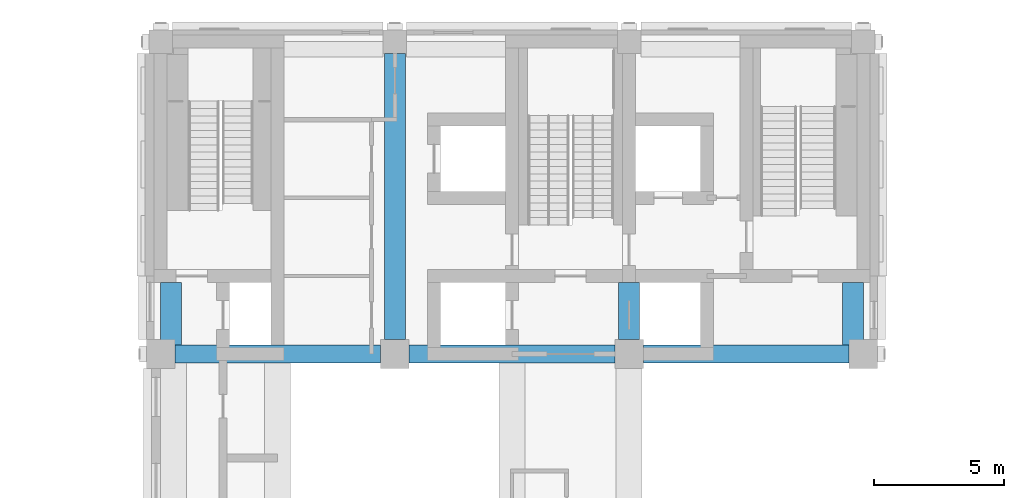
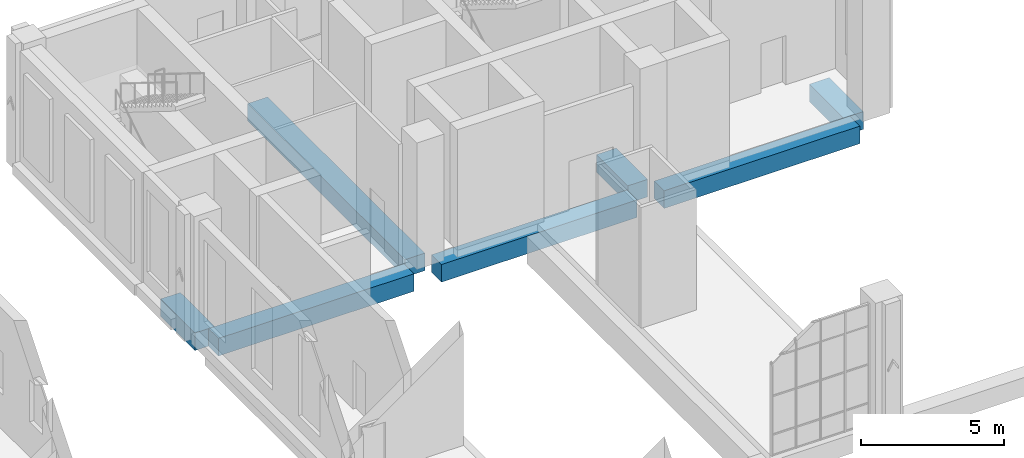
# One storey, part 11 of 53: 7 beams.
"""IFC4 building model written with IfcOpenShell, lengths in metres."""

from ifc_helpers import new_model, si_unit, direction, frame, origin, origin_2d, place, context, subcontext, project, spatial, rectangle, extrude, material, material_profile, profile_set, type_object, element, save


model = new_model("IFC4")

# Units and contexts
model_context = context("Model", 3, precision=1e-05, world=origin(), true_north=direction((0.0, 1.0)))
body_context = subcontext(model_context, "Body", "Model", "MODEL_VIEW")
ifc_project = project(units=[si_unit("LENGTHUNIT", "METRE"), si_unit("AREAUNIT", "SQUARE_METRE"), si_unit("VOLUMEUNIT", "CUBIC_METRE"), si_unit("PLANEANGLEUNIT", "RADIAN"), si_unit("MASSUNIT", "GRAM", prefix="KILO")], contexts=[model_context])

# Site, building, storey
site_placement = place(None, origin())
site = spatial("IfcSite", under=ifc_project, at=site_placement, CompositionType="ELEMENT")
building_placement = place(site_placement, origin())
building = spatial("IfcBuilding", under=site, at=building_placement, Name="Aurelan Courthouse", CompositionType="ELEMENT")
storey_placement = place(building_placement, frame((0.0, 0.0, 12.0)))
storey = spatial("IfcBuildingStorey", under=building, at=storey_placement, Name="L02", CompositionType="ELEMENT", Elevation=12.0)

# Beams
ifc_material = material(Name="Concrete C50", Category="concrete")
ifc_material_profile_1 = material_profile(ifc_material, rectangle(XDim=0.699951171875, YDim=0.75, at=origin_2d()), Name="RC 700 x 750")
ifc_profile_set_1 = profile_set([ifc_material_profile_1], Name="Concrete C50")
beam_type_1 = type_object("IfcBeamType", Name="PT beam 700 x 750", PredefinedType="BEAM", material=ifc_profile_set_1)
for number, where, z_axis, x_axis, name in (
    (1, (36.550048828125, 54.0, -0.675048828125), (1.0, 0.0, 0.0), (0.0, 1.0, 0.0), "Beam EB-E-5-6"),
    (2, (45.550048828125, 54.0, -0.675048828125), (1.0, 0.0, 0.0), (0.0, 1.0, 0.0), "Beam EB-E-6-7"),
    (3, (54.550048828125, 54.0, -0.675048828125), (1.0, 0.0, 0.0), (0.0, 1.0, 0.0), "Beam EB-E-7-8"),
):
    element("IfcBeam", number, at=place(storey_placement, frame(where, z_axis=z_axis, x_axis=x_axis)), inside=storey, type_object=beam_type_1, Name=name, PredefinedType="BEAM", context=body_context, shape_type="SweptSolid", body=[
        extrude(rectangle(XDim=0.699951171875, YDim=0.75, at=origin_2d()), origin(), (0.0, 0.0, 1.0), 7.89990234375),
    ])
ifc_material_profile_2 = material_profile(ifc_material, rectangle(XDim=0.800048828125, YDim=0.75, at=origin_2d()), Name="RC 800 x 750")
ifc_profile_set_2 = profile_set([ifc_material_profile_2], Name="Concrete C50")
beam_type_2 = type_object("IfcBeamType", Name="PT girder 800 x 750", PredefinedType="BEAM", material=ifc_profile_set_2)
beam_1_placement = place(storey_placement, frame((36.39990234375, 54.35009765625, -0.675048828125), z_axis=(0.0, 1.0, 0.0), x_axis=(-1.0, 0.0, 0.0)))
element("IfcBeam", 4, at=beam_1_placement, inside=storey, type_object=beam_type_2, Name="Girder GB-5EF-E", PredefinedType="BEAM", context=body_context, shape_type="SweptSolid", body=[
    extrude(rectangle(XDim=0.800048828125, YDim=0.75, at=origin_2d()), origin(), (0.0, 0.0, 1.0), 2.39990234375),
])
beam_2_placement = place(storey_placement, frame((45.0, 54.550048828125, -0.675048828125), z_axis=(0.0, 1.0, 0.0), x_axis=(-1.0, 0.0, 0.0)))
element("IfcBeam", 5, at=beam_2_placement, inside=storey, type_object=beam_type_2, Name="Girder GB-6EF", PredefinedType="BEAM", context=body_context, shape_type="SweptSolid", body=[
    extrude(rectangle(XDim=0.800048828125, YDim=0.75, at=origin_2d()), origin(), (0.0, 0.0, 1.0), 11.0),
])
beam_3_placement = place(storey_placement, frame((54.0, 54.550048828125, -0.675048828125), z_axis=(0.0, 1.0, 0.0), x_axis=(-1.0, 0.0, 0.0)))
element("IfcBeam", 6, at=beam_3_placement, inside=storey, type_object=beam_type_2, Name="Girder GB-7EF", PredefinedType="BEAM", context=body_context, shape_type="SweptSolid", body=[
    extrude(rectangle(XDim=0.800048828125, YDim=0.75, at=origin_2d()), origin(), (0.0, 0.0, 1.0), 2.199951171875),
])
beam_4_placement = place(storey_placement, frame((62.60009765625, 54.35009765625, -0.675048828125), z_axis=(0.0, 1.0, 0.0), x_axis=(-1.0, 0.0, 0.0)))
element("IfcBeam", 7, at=beam_4_placement, inside=storey, type_object=beam_type_2, Name="Girder GB-8EF-E", PredefinedType="BEAM", context=body_context, shape_type="SweptSolid", body=[
    extrude(rectangle(XDim=0.800048828125, YDim=0.75, at=origin_2d()), origin(), (0.0, 0.0, 1.0), 2.39990234375),
])

save(model, "model.ifc")
